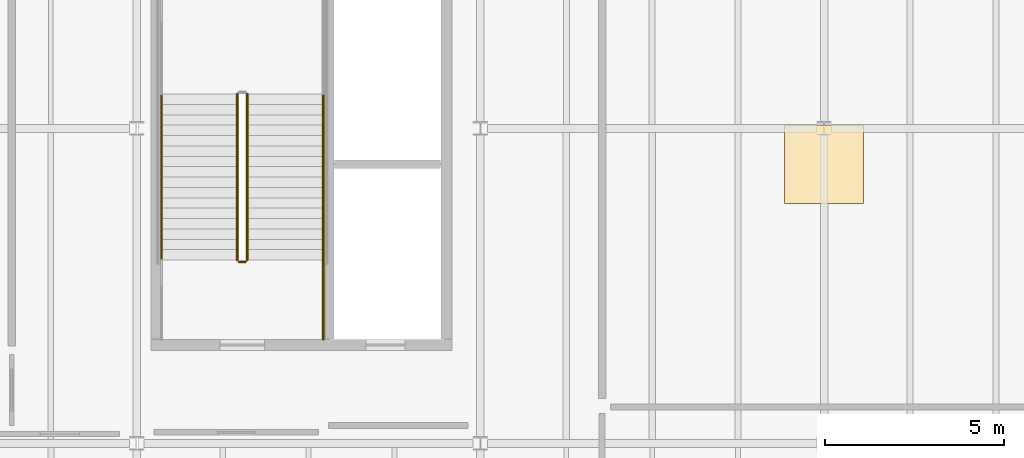
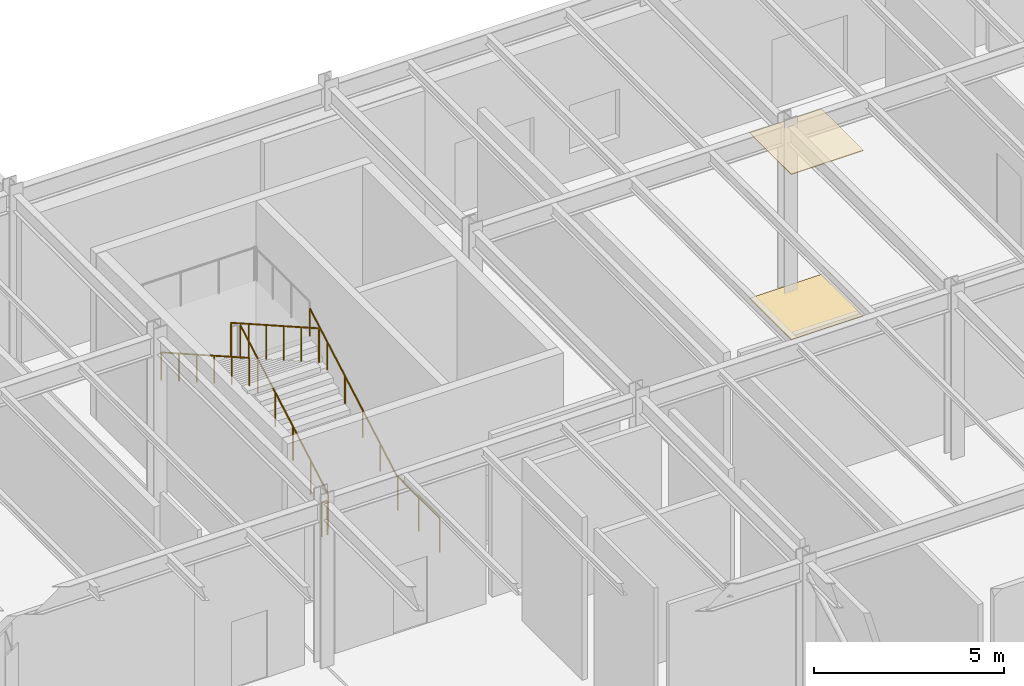
# One storey, part 65 of 70: 6 railings, 2 coverings.
"""IFC4 building model written with IfcOpenShell, lengths in metres."""

from ifc_helpers import new_model, si_unit, direction, frame, origin, origin_2d, place, context, subcontext, project, spatial, rectangle, circle, extrude, material, layer, layer_set, type_object, element, save


model = new_model("IFC4")

# Units and contexts
model_context = context("Model", 3, precision=1e-05, world=origin(), true_north=direction((0.0, 1.0)))
body_context = subcontext(model_context, "Body", "Model", "MODEL_VIEW")
ifc_project = project(units=[si_unit("LENGTHUNIT", "METRE"), si_unit("AREAUNIT", "SQUARE_METRE"), si_unit("VOLUMEUNIT", "CUBIC_METRE"), si_unit("PLANEANGLEUNIT", "RADIAN"), si_unit("MASSUNIT", "GRAM", prefix="KILO")], contexts=[model_context])

# Site, building, storey
site_placement = place(None, origin())
site = spatial("IfcSite", under=ifc_project, at=site_placement, CompositionType="ELEMENT")
building_placement = place(site_placement, origin())
building = spatial("IfcBuilding", under=site, at=building_placement, Name="Sarnbrook Museum", CompositionType="ELEMENT")
storey_placement = place(building_placement, origin())
storey = spatial("IfcBuildingStorey", under=building, at=storey_placement, Name="L00", CompositionType="ELEMENT", Elevation=0.0)

# Coverings
ifc_material_1 = material(Name="Tasmanian Oak Acoustic Timber", Category="wood")
ifc_layer_1 = layer(ifc_material_1, 0.02490234375)
ifc_layer_set_1 = layer_set([ifc_layer_1], Name="Tasmanian Oak Acoustic Timber")
covering_type_1 = type_object("IfcCoveringType", Name="Ceil_Timber25", PredefinedType="CEILING", material=ifc_layer_set_1)
covering_1_placement = place(storey_placement, frame((100.0, 99.800048828125, 5.324951171875), z_axis=(0.0, 0.0, 1.0), x_axis=(1.0, 0.0, 0.0)))
element("IfcCovering", 1, at=covering_1_placement, inside=storey, type_object=covering_type_1, Name="Acoustic Ceiling Baffle Panel L00-05", PredefinedType="CEILING", context=body_context, shape_type="SweptSolid", body=[
    extrude(rectangle(XDim=2.199951171875, YDim=2.199951171875, at=origin_2d()), origin(), (0.0, 0.0, 1.0), 0.02490234375),
])
ifc_layer_2 = layer(ifc_material_1, 0.02197265625)
ifc_layer_set_2 = layer_set([ifc_layer_2], Name="Tasmanian Oak Acoustic Timber")
covering_type_2 = type_object("IfcCoveringType", Name="Floor_Oak22", PredefinedType="FLOORING", material=ifc_layer_set_2)
covering_2_placement = place(storey_placement, frame((100.0, 99.800048828125, 0.0), z_axis=(0.0, 0.0, 1.0), x_axis=(1.0, 0.0, 0.0)))
element("IfcCovering", 2, at=covering_2_placement, inside=storey, type_object=covering_type_2, Name="Gallery Floor Finish Panel L00-05", PredefinedType="FLOORING", context=body_context, shape_type="SweptSolid", body=[
    extrude(rectangle(XDim=2.199951171875, YDim=2.199951171875, at=origin_2d()), origin(), (0.0, 0.0, 1.0), 0.02197265625),
])

# Railings
ifc_material_2 = material(Name="Brushed Stainless Steel Grade 316", Category="steel")
ifc_layer_3 = layer(ifc_material_2, 0.050048828125)
ifc_layer_set_3 = layer_set([ifc_layer_3], Name="Brushed Stainless Steel Grade 316")
railing_type_1 = type_object("IfcRailingType", Name="Guard_Int1120", PredefinedType="BALUSTRADE", material=ifc_layer_set_3)
railing_1_placement = place(storey_placement, frame((83.889892578125, 97.1201171875, 0.164794921875)))
element("IfcRailing", 3, at=railing_1_placement, inside=storey, type_object=railing_type_1, Name="L00 ST4 stair guard 1", PredefinedType="BALUSTRADE", context=body_context, shape_type="SweptSolid", body=[
    extrude(circle(Radius=0.02392578125, at=origin_2d()), frame((0.0, 0.0, 1.09619140625), z_axis=(0.0, 0.869540958685, 0.493860831783), x_axis=(-1.0, 0.0, 0.0)), (0.0, 0.0, 1.0), 5.3359375),
    extrude(circle(Radius=0.02099609375, at=origin_2d()), origin(), (0.0, 0.0, 1.0), 1.072021484375),
    extrude(circle(Radius=0.02099609375, at=origin_2d()), frame((0.0, 0.927978515625, 0.527099609375)), (0.0, 0.0, 1.0), 1.072021484375),
    extrude(circle(Radius=0.02099609375, at=origin_2d()), frame((0.0, 1.85595703125, 1.05419921875)), (0.0, 0.0, 1.0), 1.072021484375),
    extrude(circle(Radius=0.02099609375, at=origin_2d()), frame((0.0, 2.783935546875, 1.5810546875)), (0.0, 0.0, 1.0), 1.072021484375),
    extrude(circle(Radius=0.02099609375, at=origin_2d()), frame((0.0, 3.7119140625, 2.108154296875)), (0.0, 0.0, 1.0), 1.072021484375),
    extrude(circle(Radius=0.02099609375, at=origin_2d()), frame((0.0, 4.639892578125, 2.63525390625)), (0.0, 0.0, 1.0), 1.072021484375),
])
railing_2_placement = place(storey_placement, frame((83.610107421875, 101.760009765625, 2.964599609375)))
element("IfcRailing", 4, at=railing_2_placement, inside=storey, type_object=railing_type_1, Name="L00 ST4 stair guard 6", PredefinedType="BALUSTRADE", context=body_context, shape_type="SweptSolid", body=[
    extrude(circle(Radius=0.02392578125, at=origin_2d()), frame((0.0, 0.0, 1.09619140625), z_axis=(0.0, -0.869521310511, 0.493895424728), x_axis=(1.0, 0.0, 0.0)), (0.0, 0.0, 1.0), 5.336181640625),
    extrude(circle(Radius=0.02099609375, at=origin_2d()), origin(), (0.0, 0.0, 1.0), 1.072021484375),
    extrude(circle(Radius=0.02099609375, at=origin_2d()), frame((0.0, -0.927978515625, 0.527099609375)), (0.0, 0.0, 1.0), 1.072021484375),
    extrude(circle(Radius=0.02099609375, at=origin_2d()), frame((0.0, -1.85595703125, 1.05419921875)), (0.0, 0.0, 1.0), 1.072021484375),
    extrude(circle(Radius=0.02099609375, at=origin_2d()), frame((0.0, -2.783935546875, 1.581298828125)), (0.0, 0.0, 1.0), 1.072021484375),
    extrude(circle(Radius=0.02099609375, at=origin_2d()), frame((0.0, -3.7119140625, 2.1083984375)), (0.0, 0.0, 1.0), 1.072021484375),
    extrude(circle(Radius=0.02099609375, at=origin_2d()), frame((0.0, -4.639892578125, 2.635498046875)), (0.0, 0.0, 1.0), 1.072021484375),
])
railing_3_placement = place(storey_placement, frame((83.840087890625, 97.070068359375, 0.0)))
element("IfcRailing", 5, at=railing_3_placement, inside=storey, type_object=railing_type_1, Name="L00 ST4 stair guard 7", PredefinedType="BALUSTRADE", context=body_context, shape_type="SweptSolid", body=[
    extrude(circle(Radius=0.02392578125, at=origin_2d()), frame((0.0, 0.0, 1.09619140625), z_axis=(-1.0, 0.0, 0.0), x_axis=(0.0, -1.0, 0.0)), (0.0, 0.0, 1.0), 0.18017578125),
    extrude(circle(Radius=0.02099609375, at=origin_2d()), origin(), (0.0, 0.0, 1.0), 1.072021484375),
    extrude(circle(Radius=0.02099609375, at=origin_2d()), frame((-0.18017578125, 0.0, 0.0)), (0.0, 0.0, 1.0), 1.072021484375),
])
railing_4_placement = place(storey_placement, frame((86.010009765625, 94.89990234375, 0.0)))
element("IfcRailing", 6, at=railing_4_placement, inside=storey, type_object=railing_type_1, Name="L00 ST4 stair guard 8", PredefinedType="BALUSTRADE", context=body_context, shape_type="SweptSolid", body=[
    extrude(circle(Radius=0.02392578125, at=origin_2d()), frame((0.0, 0.0, 1.09619140625), z_axis=(0.0, 1.0, 0.0), x_axis=(-1.0, 0.0, 0.0)), (0.0, 0.0, 1.0), 2.22021484375),
    extrude(circle(Radius=0.02099609375, at=origin_2d()), origin(), (0.0, 0.0, 1.0), 1.072021484375),
    extrude(circle(Radius=0.02099609375, at=origin_2d()), frame((0.0, 1.110107421875, 0.0)), (0.0, 0.0, 1.0), 1.072021484375),
    extrude(circle(Radius=0.02099609375, at=origin_2d()), frame((0.0, 2.22021484375, 0.0)), (0.0, 0.0, 1.0), 1.072021484375),
])
ifc_layer_4 = layer(ifc_material_2, 0.048095703125)
ifc_layer_set_4 = layer_set([ifc_layer_4], Name="Brushed Stainless Steel Grade 316")
railing_type_2 = type_object("IfcRailingType", Name="Handrail_920", PredefinedType="HANDRAIL", material=ifc_layer_set_4)
railing_5_placement = place(storey_placement, frame((86.010009765625, 97.1201171875, 0.164794921875)))
element("IfcRailing", 7, at=railing_5_placement, inside=storey, type_object=railing_type_2, Name="L00 ST4 stair handrail 1", PredefinedType="HANDRAIL", context=body_context, shape_type="SweptSolid", body=[
    extrude(circle(Radius=0.02392578125, at=origin_2d()), frame((0.0, 0.0, 0.8857421875), z_axis=(0.0, 0.869540958685, 0.493860831783), x_axis=(-1.0, 0.0, 0.0)), (0.0, 0.0, 1.0), 5.3359375),
    extrude(circle(Radius=0.02099609375, at=origin_2d()), origin(), (0.0, 0.0, 1.0), 0.86181640625),
    extrude(circle(Radius=0.02099609375, at=origin_2d()), frame((0.0, 0.927978515625, 0.527099609375)), (0.0, 0.0, 1.0), 0.86181640625),
    extrude(circle(Radius=0.02099609375, at=origin_2d()), frame((0.0, 1.85595703125, 1.05419921875)), (0.0, 0.0, 1.0), 0.86181640625),
    extrude(circle(Radius=0.02099609375, at=origin_2d()), frame((0.0, 2.783935546875, 1.5810546875)), (0.0, 0.0, 1.0), 0.86181640625),
    extrude(circle(Radius=0.02099609375, at=origin_2d()), frame((0.0, 3.7119140625, 2.108154296875)), (0.0, 0.0, 1.0), 0.86181640625),
    extrude(circle(Radius=0.02099609375, at=origin_2d()), frame((0.0, 4.639892578125, 2.63525390625)), (0.0, 0.0, 1.0), 0.86181640625),
])
railing_6_placement = place(storey_placement, frame((81.489990234375, 101.760009765625, 2.964599609375)))
element("IfcRailing", 8, at=railing_6_placement, inside=storey, type_object=railing_type_2, Name="L00 ST4 stair handrail 2", PredefinedType="HANDRAIL", context=body_context, shape_type="SweptSolid", body=[
    extrude(circle(Radius=0.02392578125, at=origin_2d()), frame((0.0, 0.0, 0.8857421875), z_axis=(0.0, -0.869521310511, 0.493895424728), x_axis=(1.0, 0.0, 0.0)), (0.0, 0.0, 1.0), 5.336181640625),
    extrude(circle(Radius=0.02099609375, at=origin_2d()), origin(), (0.0, 0.0, 1.0), 0.86181640625),
    extrude(circle(Radius=0.02099609375, at=origin_2d()), frame((0.0, -0.927978515625, 0.527099609375)), (0.0, 0.0, 1.0), 0.86181640625),
    extrude(circle(Radius=0.02099609375, at=origin_2d()), frame((0.0, -1.85595703125, 1.05419921875)), (0.0, 0.0, 1.0), 0.86181640625),
    extrude(circle(Radius=0.02099609375, at=origin_2d()), frame((0.0, -2.783935546875, 1.581298828125)), (0.0, 0.0, 1.0), 0.86181640625),
    extrude(circle(Radius=0.02099609375, at=origin_2d()), frame((0.0, -3.7119140625, 2.1083984375)), (0.0, 0.0, 1.0), 0.86181640625),
    extrude(circle(Radius=0.02099609375, at=origin_2d()), frame((0.0, -4.639892578125, 2.635498046875)), (0.0, 0.0, 1.0), 0.86181640625),
])

save(model, "model.ifc")
